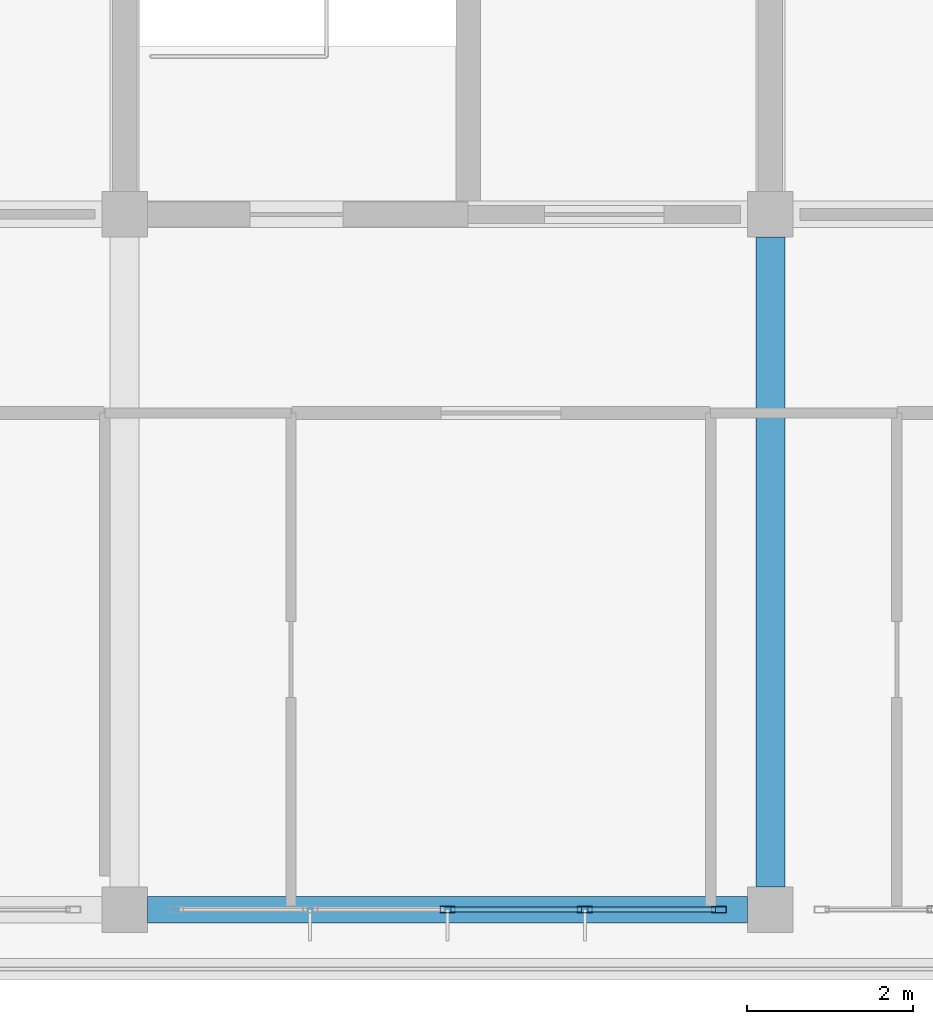
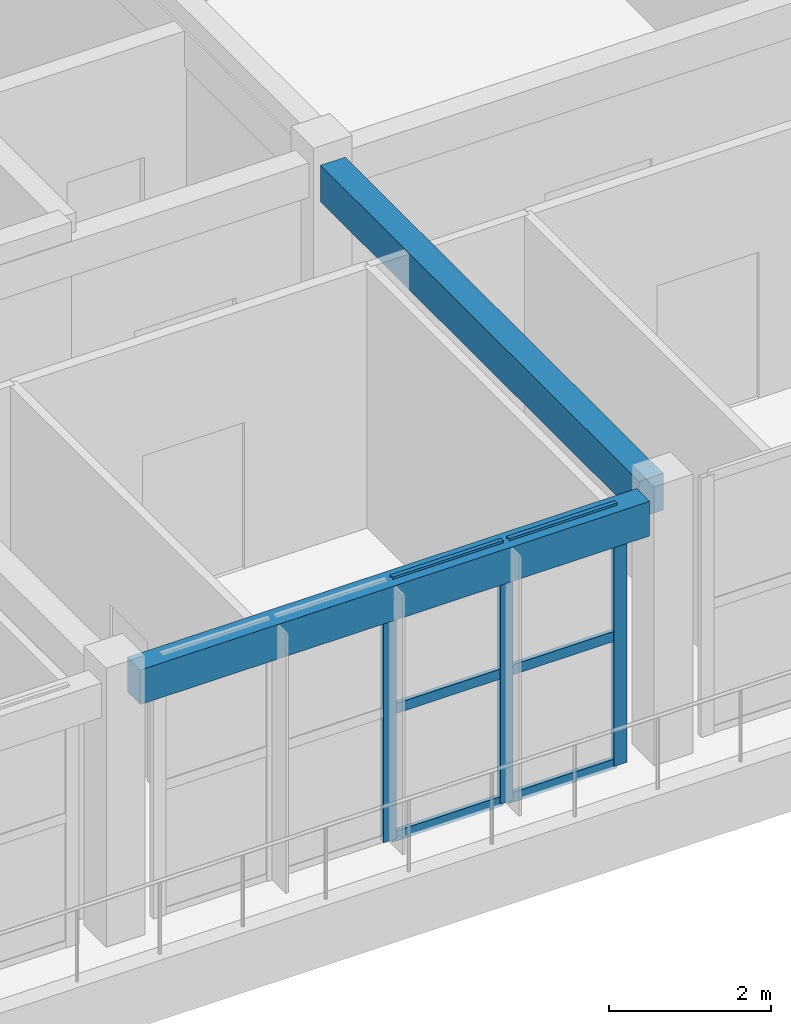
# One storey, part 12 of 33: 9 members, 2 beams, 1 element without a shape of its own.
"""IFC4 building model written with IfcOpenShell, lengths in metres."""

from ifc_helpers import new_model, si_unit, direction, frame, origin, origin_2d, place, context, subcontext, project, spatial, rectangle, hollow_rectangle, extrude, material, layer, layer_set, material_profile, profile_set, type_object, element, aggregate, save


model = new_model("IFC4")

# Units and contexts
model_context = context("Model", 3, precision=1e-05, world=origin(), true_north=direction((0.0, 1.0)))
body_context = subcontext(model_context, "Body", "Model", "MODEL_VIEW")
ifc_project = project(units=[si_unit("LENGTHUNIT", "METRE"), si_unit("AREAUNIT", "SQUARE_METRE"), si_unit("VOLUMEUNIT", "CUBIC_METRE"), si_unit("PLANEANGLEUNIT", "RADIAN"), si_unit("MASSUNIT", "GRAM", prefix="KILO")], contexts=[model_context])

# Site, building, storey
site_placement = place(None, origin())
site = spatial("IfcSite", under=ifc_project, at=site_placement, CompositionType="ELEMENT")
building_placement = place(site_placement, origin())
building = spatial("IfcBuilding", under=site, at=building_placement, Name="Zizhar Promenade General Hospital", CompositionType="ELEMENT")
storey_placement = place(building_placement, frame((0.0, 0.0, 39.0)))
storey = spatial("IfcBuildingStorey", under=building, at=storey_placement, Name="L09", CompositionType="ELEMENT", Elevation=39.0)

# Beams
ifc_material_1 = material(Name="Concrete C35/45", Category="concrete")
ifc_material_profile_1 = material_profile(ifc_material_1, rectangle(XDim=0.320068359375, YDim=0.52001953125, at=origin_2d()))
ifc_profile_set_1 = profile_set([ifc_material_profile_1], Name="Concrete C35/45")
beam_type_1 = type_object("IfcBeamType", Name="BM-RC-320x520", PredefinedType="LINTEL", material=ifc_profile_set_1)
beam_1_placement = place(storey_placement, frame((78.27490234375, 0.0, 3.64990234375), z_axis=(1.0, 0.0, 0.0), x_axis=(0.0, 1.0, 0.0)))
element("IfcBeam", 1, at=beam_1_placement, inside=storey, type_object=beam_type_1, Name="Grid Beam X L09 (10-0)", PredefinedType="LINTEL", context=body_context, shape_type="SweptSolid", body=[
    extrude(rectangle(XDim=0.320068359375, YDim=0.52001953125, at=origin_2d()), origin(), (0.0, 0.0, 1.0), 7.25),
])
ifc_material_2 = material(Name="Concrete C35/45", Category="concrete")
ifc_material_profile_2 = material_profile(ifc_material_2, rectangle(XDim=0.35009765625, YDim=0.550048828125, at=origin_2d()))
ifc_profile_set_2 = profile_set([ifc_material_profile_2], Name="Concrete C35/45")
beam_type_2 = type_object("IfcBeamType", Name="BM-RC-350x550", PredefinedType="LINTEL", material=ifc_profile_set_2)
beam_2_placement = place(storey_placement, frame((85.800048828125, 0.27490234375, 3.635009765625), z_axis=(0.0, 1.0, 0.0), x_axis=(-1.0, 0.0, 0.0)))
element("IfcBeam", 2, at=beam_2_placement, inside=storey, type_object=beam_type_2, Name="Grid Beam Y L09 (11-0)", PredefinedType="LINTEL", context=body_context, shape_type="SweptSolid", body=[
    extrude(rectangle(XDim=0.35009765625, YDim=0.550048828125, at=origin_2d()), origin(), (0.0, 0.0, 1.0), 7.85009765625),
])

# Curtain wall, members
ifc_material_3 = material(Name="Anodised aluminium 6063-T6 and low-E glass", Category="aluminium")
ifc_layer = layer(ifc_material_3, 0.159912109375)
ifc_layer_set = layer_set([ifc_layer], Name="Anodised aluminium 6063-T6 and low-E glass")
curtain_wall_type = type_object("IfcCurtainWallType", Name="CW-WARD-RIB", PredefinedType="NOTDEFINED", material=ifc_layer_set)
curtain_wall_placement = place(storey_placement, origin())
curtain_wall = element("IfcCurtainWall", 3, at=curtain_wall_placement, inside=storey, type_object=curtain_wall_type, Name="Ward Ribbon Curtain Wall L09-17-1", PredefinedType="NOTDEFINED")
ifc_material_4 = material(Name="Anodised aluminium 6063-T6", Category="aluminium")
ifc_material_profile_3 = material_profile(ifc_material_4, hollow_rectangle(XDim=0.080078125, YDim=0.179931640625, WallThickness=0.0048828125, at=origin_2d()))
ifc_profile_set_3 = profile_set([ifc_material_profile_3], Name="Anodised aluminium 6063-T6")
member_type_1 = type_object("IfcMemberType", Name="CWM-ALU-180x80", PredefinedType="MULLION", material=ifc_profile_set_3)
member_1_placement = place(storey_placement, frame((85.179931640625, 0.0, 0.0), z_axis=(0.0, 0.0, 1.0), x_axis=(0.0, -1.0, 0.0)))
member_1 = element("IfcMember", 4, at=member_1_placement, type_object=member_type_1, Name="CW-13 mullion 1", PredefinedType="MULLION", context=body_context, shape_type="SweptSolid", body=[
    extrude(hollow_rectangle(XDim=0.080078125, YDim=0.179931640625, WallThickness=0.0048828125, at=origin_2d()), origin(), (0.0, 0.0, 1.0), 3.89990234375),
])
member_2_placement = place(storey_placement, frame((83.56005859375, 0.0, 0.0), z_axis=(0.0, 0.0, 1.0), x_axis=(0.0, -1.0, 0.0)))
member_2 = element("IfcMember", 5, at=member_2_placement, type_object=member_type_1, Name="CW-13 mullion 2", PredefinedType="MULLION", context=body_context, shape_type="SweptSolid", body=[
    extrude(hollow_rectangle(XDim=0.080078125, YDim=0.179931640625, WallThickness=0.0048828125, at=origin_2d()), origin(), (0.0, 0.0, 1.0), 3.89990234375),
])
member_3_placement = place(storey_placement, frame((81.89990234375, 0.0, 0.0), z_axis=(0.0, 0.0, 1.0), x_axis=(0.0, -1.0, 0.0)))
member_3 = element("IfcMember", 6, at=member_3_placement, type_object=member_type_1, Name="CW-13 mullion 3", PredefinedType="MULLION", context=body_context, shape_type="SweptSolid", body=[
    extrude(hollow_rectangle(XDim=0.080078125, YDim=0.179931640625, WallThickness=0.0048828125, at=origin_2d()), origin(), (0.0, 0.0, 1.0), 3.89990234375),
])
ifc_material_5 = material(Name="Anodised aluminium 6063-T6", Category="aluminium")
ifc_material_profile_4 = material_profile(ifc_material_5, hollow_rectangle(XDim=0.06005859375, YDim=0.14990234375, WallThickness=0.00390625, at=origin_2d()))
ifc_profile_set_4 = profile_set([ifc_material_profile_4], Name="Anodised aluminium 6063-T6")
member_type_2 = type_object("IfcMemberType", Name="CWT-ALU-150x60", PredefinedType="USERDEFINED", material=ifc_profile_set_4)
member_4_placement = place(storey_placement, frame((85.139892578125, 0.0, 0.030029296875), z_axis=(-1.0, 0.0, 0.0), x_axis=(0.0, -1.0, 0.0)))
member_4 = element("IfcMember", 7, at=member_4_placement, type_object=member_type_2, Name="CW-13 transom 1.1", ObjectType="TRANSOM", PredefinedType="USERDEFINED", context=body_context, shape_type="SweptSolid", body=[
    extrude(hollow_rectangle(XDim=0.06005859375, YDim=0.14990234375, WallThickness=0.00390625, at=origin_2d()), origin(), (0.0, 0.0, 1.0), 1.539794921875),
])
member_5_placement = place(storey_placement, frame((85.139892578125, 0.0, 1.949951171875), z_axis=(-1.0, 0.0, 0.0), x_axis=(0.0, -1.0, 0.0)))
member_5 = element("IfcMember", 8, at=member_5_placement, type_object=member_type_2, Name="CW-13 transom 1.2", ObjectType="TRANSOM", PredefinedType="USERDEFINED", context=body_context, shape_type="SweptSolid", body=[
    extrude(hollow_rectangle(XDim=0.06005859375, YDim=0.14990234375, WallThickness=0.00390625, at=origin_2d()), origin(), (0.0, 0.0, 1.0), 1.539794921875),
])
member_6_placement = place(storey_placement, frame((85.139892578125, 0.0, 3.8701171875), z_axis=(-1.0, 0.0, 0.0), x_axis=(0.0, -1.0, 0.0)))
member_6 = element("IfcMember", 9, at=member_6_placement, type_object=member_type_2, Name="CW-13 transom 1.3", ObjectType="TRANSOM", PredefinedType="USERDEFINED", context=body_context, shape_type="SweptSolid", body=[
    extrude(hollow_rectangle(XDim=0.06005859375, YDim=0.14990234375, WallThickness=0.00390625, at=origin_2d()), origin(), (0.0, 0.0, 1.0), 1.539794921875),
])
member_7_placement = place(storey_placement, frame((83.52001953125, 0.0, 0.030029296875), z_axis=(-1.0, 0.0, 0.0), x_axis=(0.0, -1.0, 0.0)))
member_7 = element("IfcMember", 10, at=member_7_placement, type_object=member_type_2, Name="CW-13 transom 2.1", ObjectType="TRANSOM", PredefinedType="USERDEFINED", context=body_context, shape_type="SweptSolid", body=[
    extrude(hollow_rectangle(XDim=0.06005859375, YDim=0.14990234375, WallThickness=0.00390625, at=origin_2d()), origin(), (0.0, 0.0, 1.0), 1.580078125),
])
member_8_placement = place(storey_placement, frame((83.52001953125, 0.0, 1.949951171875), z_axis=(-1.0, 0.0, 0.0), x_axis=(0.0, -1.0, 0.0)))
member_8 = element("IfcMember", 11, at=member_8_placement, type_object=member_type_2, Name="CW-13 transom 2.2", ObjectType="TRANSOM", PredefinedType="USERDEFINED", context=body_context, shape_type="SweptSolid", body=[
    extrude(hollow_rectangle(XDim=0.06005859375, YDim=0.14990234375, WallThickness=0.00390625, at=origin_2d()), origin(), (0.0, 0.0, 1.0), 1.580078125),
])
member_9_placement = place(storey_placement, frame((83.52001953125, 0.0, 3.8701171875), z_axis=(-1.0, 0.0, 0.0), x_axis=(0.0, -1.0, 0.0)))
member_9 = element("IfcMember", 12, at=member_9_placement, type_object=member_type_2, Name="CW-13 transom 2.3", ObjectType="TRANSOM", PredefinedType="USERDEFINED", context=body_context, shape_type="SweptSolid", body=[
    extrude(hollow_rectangle(XDim=0.06005859375, YDim=0.14990234375, WallThickness=0.00390625, at=origin_2d()), origin(), (0.0, 0.0, 1.0), 1.580078125),
])
aggregate(curtain_wall, [member_1, member_2, member_3, member_4, member_5, member_6, member_7, member_8, member_9])

save(model, "model.ifc")
